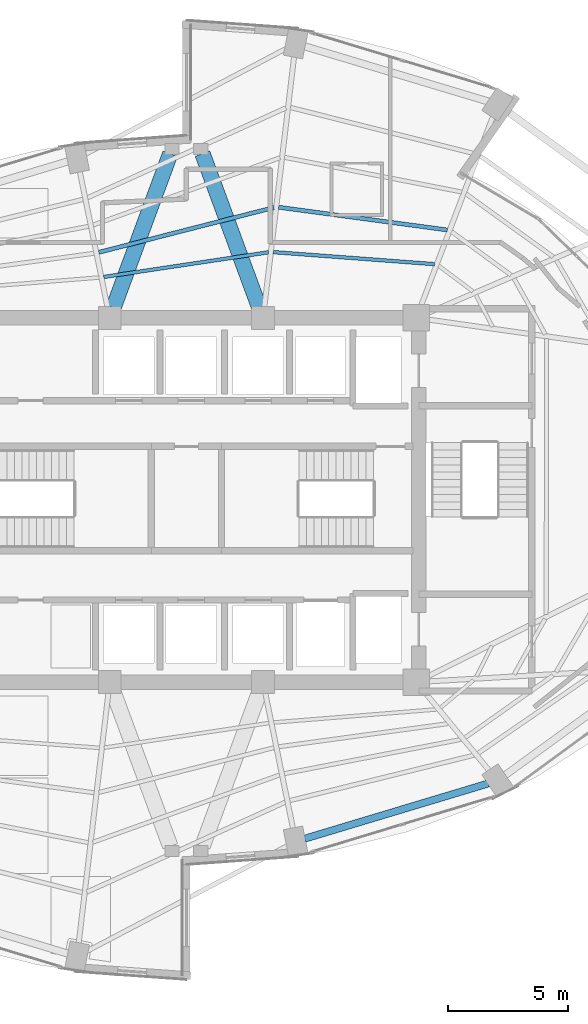
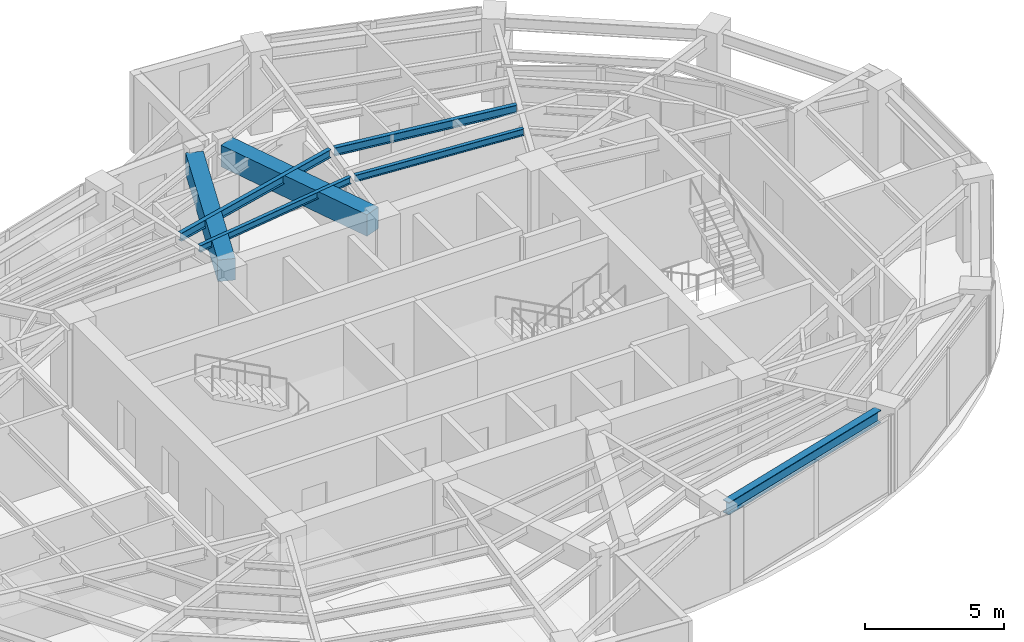
# One storey, part 8 of 19: 7 beams.
"""IFC4 building model written with IfcOpenShell, lengths in metres."""

from ifc_helpers import new_model, si_unit, direction, frame, origin, origin_2d, place, context, subcontext, project, spatial, rectangle, i_section, extrude, material, material_profile, profile_set, type_object, element, save


model = new_model("IFC4")

# Units and contexts
model_context = context("Model", 3, precision=1e-05, world=origin(), true_north=direction((0.0, 1.0)))
body_context = subcontext(model_context, "Body", "Model", "MODEL_VIEW")
ifc_project = project(units=[si_unit("LENGTHUNIT", "METRE"), si_unit("AREAUNIT", "SQUARE_METRE"), si_unit("VOLUMEUNIT", "CUBIC_METRE"), si_unit("PLANEANGLEUNIT", "RADIAN"), si_unit("MASSUNIT", "GRAM", prefix="KILO")], contexts=[model_context])

# Site, building, storey
site_placement = place(None, origin())
site = spatial("IfcSite", under=ifc_project, at=site_placement, CompositionType="ELEMENT")
building_placement = place(site_placement, origin())
building = spatial("IfcBuilding", under=site, at=building_placement, Name="Lazwardi Medical Tower", CompositionType="ELEMENT")
storey_placement = place(building_placement, frame((0.0, 0.0, 171.1201171875)))
storey = spatial("IfcBuildingStorey", under=building, at=storey_placement, Name="L44", CompositionType="ELEMENT", Elevation=171.1201171875)

# Beams
ifc_material_1 = material(Name="Concrete C60/75", Category="concrete")
ifc_material_profile_1 = material_profile(ifc_material_1, rectangle(XDim=0.64990234375, YDim=0.949951171875, at=origin_2d()), Name="RC 650x950")
ifc_profile_set_1 = profile_set([ifc_material_profile_1], Name="Concrete C60/75")
beam_type_1 = type_object("IfcBeamType", Name="BM-CB-RC2", PredefinedType="LINTEL", material=ifc_profile_set_1)
for number, where, z_axis, x_axis, name in (
    (1, (32.959228515625, 36.031494140625, 2.952880859375), (0.34601281054, 0.938229787921, 0.0), (-0.938229787921, 0.34601281054, 0.0), "Core coupling lintel CB-02 PL1 L44"),
    (2, (39.040771484375, 36.031494140625, 2.952880859375), (-0.34601281054, 0.938229787921, 0.0), (-0.938229787921, -0.34601281054, 0.0), "Core coupling lintel CB-02 PL2 L44"),
):
    element("IfcBeam", number, at=place(storey_placement, frame(where, z_axis=z_axis, x_axis=x_axis)), inside=storey, type_object=beam_type_1, Name=name, PredefinedType="LINTEL", context=body_context, shape_type="SweptSolid", body=[
        extrude(rectangle(XDim=0.64990234375, YDim=0.949951171875, at=origin_2d()), origin(), (0.0, 0.0, 1.0), 6.84423828125),
    ])
ifc_material_2 = material(Name="Steel S355", Category="steel")
ifc_material_profile_2 = material_profile(ifc_material_2, i_section(OverallWidth=0.300048828125, OverallDepth=0.550048828125, WebThickness=0.014892578125, FlangeThickness=0.029052734375, at=origin_2d()), Name="HEB 550")
ifc_profile_set_2 = profile_set([ifc_material_profile_2], Name="Steel S355")
beam_type_2 = type_object("IfcBeamType", Name="BM-RB-Z3", PredefinedType="BEAM", material=ifc_profile_set_2)
beam_1_placement = place(storey_placement, frame((40.943115234375, 13.866455078125, 3.15283203125), z_axis=(0.957616873483, 0.288045002771, 0.0), x_axis=(-0.288045002771, 0.957616873483, 0.0)))
element("IfcBeam", 3, at=beam_1_placement, inside=storey, type_object=beam_type_2, Name="Ring beam RB-04 B01 L44", PredefinedType="BEAM", context=body_context, shape_type="SweptSolid", body=[
    extrude(i_section(OverallWidth=0.300048828125, OverallDepth=0.550048828125, WebThickness=0.014892578125, FlangeThickness=0.029052734375, at=origin_2d()), origin(), (0.0, 0.0, 1.0), 7.99951171875),
])
ifc_material_profile_3 = material_profile(ifc_material_2, i_section(OverallWidth=0.169921875, OverallDepth=0.360107421875, WebThickness=0.008056640625, FlangeThickness=0.0126953125, at=origin_2d()), Name="IPE 360")
ifc_profile_set_3 = profile_set([ifc_material_profile_3], Name="Steel S355")
beam_type_3 = type_object("IfcBeamType", Name="BM-SJ-02", PredefinedType="JOIST", material=ifc_profile_set_3)
beam_2_placement = place(storey_placement, frame((46.889892578125, 39.269775390625, 3.247802734375), z_axis=(-0.991056291961, 0.133444468468, 0.0), x_axis=(-0.133444468468, -0.991056291961, 0.0)))
element("IfcBeam", 4, at=beam_2_placement, inside=storey, type_object=beam_type_3, Name="Secondary joist SJ-02 R3 B07 L44", PredefinedType="JOIST", context=body_context, shape_type="SweptSolid", body=[
    extrude(i_section(OverallWidth=0.169921875, OverallDepth=0.360107421875, WebThickness=0.008056640625, FlangeThickness=0.0126953125, at=origin_2d()), origin(), (0.0, 0.0, 1.0), 7.10400390625),
])
beam_3_placement = place(storey_placement, frame((39.6533203125, 40.206298828125, 3.247802734375), z_axis=(-0.96877632572, -0.247936344097, 0.0), x_axis=(0.247936344097, -0.96877632572, 0.0)))
element("IfcBeam", 5, at=beam_3_placement, inside=storey, type_object=beam_type_3, Name="Secondary joist SJ-02 R3 B08 L44", PredefinedType="JOIST", context=body_context, shape_type="SweptSolid", body=[
    extrude(i_section(OverallWidth=0.169921875, OverallDepth=0.360107421875, WebThickness=0.008056640625, FlangeThickness=0.0126953125, at=origin_2d()), origin(), (0.0, 0.0, 1.0), 7.546630859375),
])
ifc_material_profile_4 = material_profile(ifc_material_2, i_section(OverallWidth=0.14990234375, OverallDepth=0.300048828125, WebThickness=0.007080078125, FlangeThickness=0.0107421875, at=origin_2d()), Name="IPE 300")
ifc_profile_set_4 = profile_set([ifc_material_profile_4], Name="Steel S355")
beam_type_4 = type_object("IfcBeamType", Name="BM-SJ-03", PredefinedType="JOIST", material=ifc_profile_set_4)
beam_4_placement = place(storey_placement, frame((46.349609375, 37.843505859375, 3.27783203125), z_axis=(-0.99722699261, 0.074419924822, 0.0), x_axis=(-0.074419924822, -0.99722699261, 0.0)))
element("IfcBeam", 6, at=beam_4_placement, inside=storey, type_object=beam_type_4, Name="Secondary joist SJ-03 R4 B07 L44", PredefinedType="JOIST", context=body_context, shape_type="SweptSolid", body=[
    extrude(i_section(OverallWidth=0.14990234375, OverallDepth=0.300048828125, WebThickness=0.007080078125, FlangeThickness=0.0107421875, at=origin_2d()), origin(), (0.0, 0.0, 1.0), 6.74169921875),
])
beam_5_placement = place(storey_placement, frame((39.42822265625, 38.337890625, 3.27783203125), z_axis=(-0.98897469849, -0.148084589835, 0.0), x_axis=(0.148084589835, -0.98897469849, 0.0)))
element("IfcBeam", 7, at=beam_5_placement, inside=storey, type_object=beam_type_4, Name="Secondary joist SJ-03 R4 B08 L44", PredefinedType="JOIST", context=body_context, shape_type="SweptSolid", body=[
    extrude(i_section(OverallWidth=0.14990234375, OverallDepth=0.300048828125, WebThickness=0.007080078125, FlangeThickness=0.0107421875, at=origin_2d()), origin(), (0.0, 0.0, 1.0), 6.952392578125),
])

save(model, "model.ifc")
